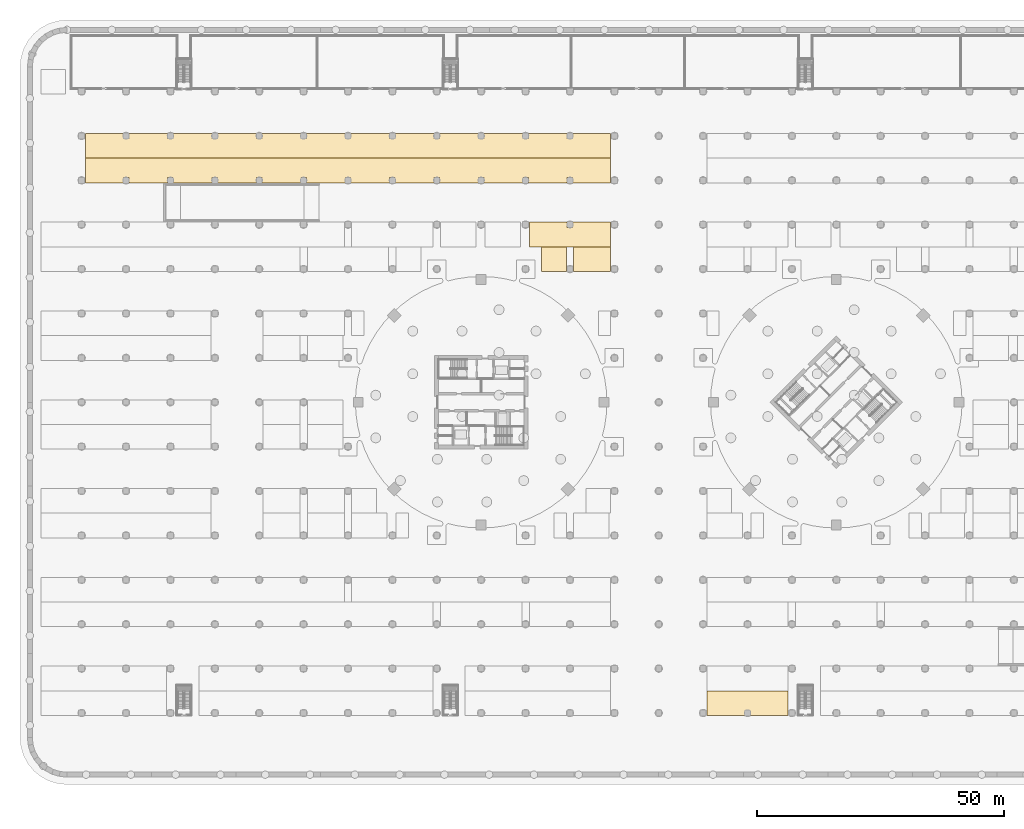
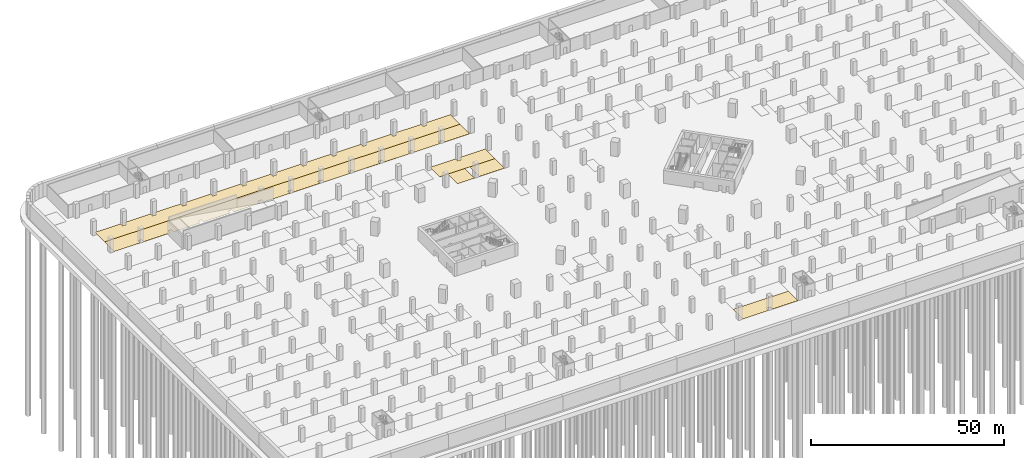
# One storey, part 29 of 39: 6 coverings.
"""IFC4 building model written with IfcOpenShell, lengths in metres."""

from ifc_helpers import new_model, si_unit, direction, frame, origin, place, context, subcontext, project, spatial, polyline, outline, extrude, material, layer, layer_set, type_object, element, save


model = new_model("IFC4")

# Units and contexts
model_context = context("Model", 3, precision=1e-05, world=origin(), true_north=direction((0.0, 1.0)))
body_context = subcontext(model_context, "Body", "Model", "MODEL_VIEW")
ifc_project = project(units=[si_unit("LENGTHUNIT", "METRE"), si_unit("AREAUNIT", "SQUARE_METRE"), si_unit("VOLUMEUNIT", "CUBIC_METRE"), si_unit("PLANEANGLEUNIT", "RADIAN"), si_unit("MASSUNIT", "GRAM", prefix="KILO")], contexts=[model_context])

# Site, building, storey
site_placement = place(None, origin())
site = spatial("IfcSite", under=ifc_project, at=site_placement, CompositionType="ELEMENT")
building_placement = place(site_placement, origin())
building = spatial("IfcBuilding", under=site, at=building_placement, Name="Ogive Gate Towers", CompositionType="ELEMENT")
storey_placement = place(building_placement, frame((0.0, 0.0, -9.0)))
storey = spatial("IfcBuildingStorey", under=building, at=storey_placement, Name="B2", CompositionType="ELEMENT", Elevation=-9.0)

# Coverings
ifc_material = material(Name="Painted floor marking")
ifc_layer_1 = layer(ifc_material, 0.02001953125)
ifc_layer_set_1 = layer_set([ifc_layer_1], Name="Charging bay marking")
covering_type_1 = type_object("IfcCoveringType", Name="Charging bay marking", PredefinedType="FLOORING", material=ifc_layer_set_1)
covering_1_placement = place(storey_placement, origin())
element("IfcCovering", 1, at=covering_1_placement, inside=storey, type_object=covering_type_1, Name="Charging bays B2-029 to B2-031", PredefinedType="FLOORING", context=body_context, shape_type="SweptSolid", body=[
    extrude(outline(polyline([(-9.75, 26.5), (-17.25, 26.5), (-17.25, 31.5), (-9.75, 31.5), (-9.75, 26.5)])), origin(), (0.0, 0.0, 1.0), 0.02001953125),
])
covering_2_placement = place(storey_placement, origin())
element("IfcCovering", 2, at=covering_2_placement, inside=storey, type_object=covering_type_1, Name="Charging bays B2-508 to B2-513", PredefinedType="FLOORING", context=body_context, shape_type="SweptSolid", body=[
    extrude(outline(polyline([(-26.25, 36.5), (-18.550048828125, 36.5), (-18.550048828125, 35.449951171875), (-17.449951171875, 35.449951171875), (-17.449951171875, 36.5), (-9.75, 36.5), (-9.75, 31.5), (-26.25, 31.5), (-26.25, 36.5)])), origin(), (0.0, 0.0, 1.0), 0.02001953125),
])
ifc_layer_2 = layer(ifc_material, 0.02001953125)
ifc_layer_set_2 = layer_set([ifc_layer_2], Name="Parking bay marking")
covering_type_2 = type_object("IfcCoveringType", Name="Parking bay marking", PredefinedType="FLOORING", material=ifc_layer_set_2)
covering_3_placement = place(storey_placement, origin())
element("IfcCovering", 3, at=covering_3_placement, inside=storey, type_object=covering_type_2, Name="Parking bays B2-027 to B2-028", PredefinedType="FLOORING", context=body_context, shape_type="SweptSolid", body=[
    extrude(outline(polyline([(-23.75, 31.5), (-18.75, 31.5), (-18.75, 26.5), (-23.75, 26.5), (-23.75, 31.5)])), origin(), (0.0, 0.0, 1.0), 0.02001953125),
])
covering_4_placement = place(storey_placement, origin())
element("IfcCovering", 4, at=covering_4_placement, inside=storey, type_object=covering_type_2, Name="Parking bays B2-097 to B2-132", PredefinedType="FLOORING", context=body_context, shape_type="SweptSolid", body=[
    extrude(outline(polyline([(-9.75, 49.5), (-9.75, 44.5), (-17.449951171875, 44.5), (-17.449951171875, 45.550048828125), (-18.550048828125, 45.550048828125), (-18.550048828125, 44.5), (-26.449951171875, 44.5), (-26.449951171875, 45.550048828125), (-27.550048828125, 45.550048828125), (-27.550048828125, 44.5), (-35.449951171875, 44.5), (-35.449951171875, 45.550048828125), (-36.550048828125, 45.550048828125), (-36.550048828125, 44.5), (-44.449951171875, 44.5), (-44.449951171875, 45.550048828125), (-45.550048828125, 45.550048828125), (-45.550048828125, 44.5), (-53.449951171875, 44.5), (-53.449951171875, 45.550048828125), (-54.550048828125, 45.550048828125), (-54.550048828125, 44.5), (-62.449951171875, 44.5), (-62.449951171875, 45.550048828125), (-63.550048828125, 45.550048828125), (-63.550048828125, 44.5), (-71.449951171875, 44.5), (-71.449951171875, 45.550048828125), (-72.550048828125, 45.550048828125), (-72.550048828125, 44.5), (-80.449951171875, 44.5), (-80.449951171875, 45.550048828125), (-81.550048828125, 45.550048828125), (-81.550048828125, 44.5), (-89.449951171875, 44.5), (-89.449951171875, 45.550048828125), (-90.550048828125, 45.550048828125), (-90.550048828125, 44.5), (-98.449951171875, 44.5), (-98.449951171875, 45.550048828125), (-99.550048828125, 45.550048828125), (-99.550048828125, 44.5), (-107.449951171875, 44.5), (-107.449951171875, 45.550048828125), (-108.550048828125, 45.550048828125), (-108.550048828125, 44.5), (-116.25, 44.5), (-116.25, 49.5), (-9.75, 49.5)])), origin(), (0.0, 0.0, 1.0), 0.02001953125),
])
covering_5_placement = place(storey_placement, origin())
element("IfcCovering", 5, at=covering_5_placement, inside=storey, type_object=covering_type_2, Name="Parking bays B2-371 to B2-376", PredefinedType="FLOORING", context=body_context, shape_type="SweptSolid", body=[
    extrude(outline(polyline([(9.75, -58.5), (26.25, -58.5), (26.25, -63.5), (18.550048828125, -63.5), (18.550048828125, -62.449951171875), (17.449951171875, -62.449951171875), (17.449951171875, -63.5), (9.75, -63.5), (9.75, -58.5)])), origin(), (0.0, 0.0, 1.0), 0.02001953125),
])
covering_6_placement = place(storey_placement, origin())
element("IfcCovering", 6, at=covering_6_placement, inside=storey, type_object=covering_type_2, Name="Parking bays B2-552 to B2-587", PredefinedType="FLOORING", context=body_context, shape_type="SweptSolid", body=[
    extrude(outline(polyline([(-108.550048828125, 54.5), (-108.550048828125, 53.449951171875), (-107.449951171875, 53.449951171875), (-107.449951171875, 54.5), (-99.550048828125, 54.5), (-99.550048828125, 53.449951171875), (-98.449951171875, 53.449951171875), (-98.449951171875, 54.5), (-90.550048828125, 54.5), (-90.550048828125, 53.449951171875), (-89.449951171875, 53.449951171875), (-89.449951171875, 54.5), (-81.550048828125, 54.5), (-81.550048828125, 53.449951171875), (-80.449951171875, 53.449951171875), (-80.449951171875, 54.5), (-72.550048828125, 54.5), (-72.550048828125, 53.449951171875), (-71.449951171875, 53.449951171875), (-71.449951171875, 54.5), (-63.550048828125, 54.5), (-63.550048828125, 53.449951171875), (-62.449951171875, 53.449951171875), (-62.449951171875, 54.5), (-54.550048828125, 54.5), (-54.550048828125, 53.449951171875), (-53.449951171875, 53.449951171875), (-53.449951171875, 54.5), (-45.550048828125, 54.5), (-45.550048828125, 53.449951171875), (-44.449951171875, 53.449951171875), (-44.449951171875, 54.5), (-36.550048828125, 54.5), (-36.550048828125, 53.449951171875), (-35.449951171875, 53.449951171875), (-35.449951171875, 54.5), (-27.550048828125, 54.5), (-27.550048828125, 53.449951171875), (-26.449951171875, 53.449951171875), (-26.449951171875, 54.5), (-18.550048828125, 54.5), (-18.550048828125, 53.449951171875), (-17.449951171875, 53.449951171875), (-17.449951171875, 54.5), (-9.75, 54.5), (-9.75, 49.5), (-116.25, 49.5), (-116.25, 54.5), (-108.550048828125, 54.5)])), origin(), (0.0, 0.0, 1.0), 0.02001953125),
])

save(model, "model.ifc")
